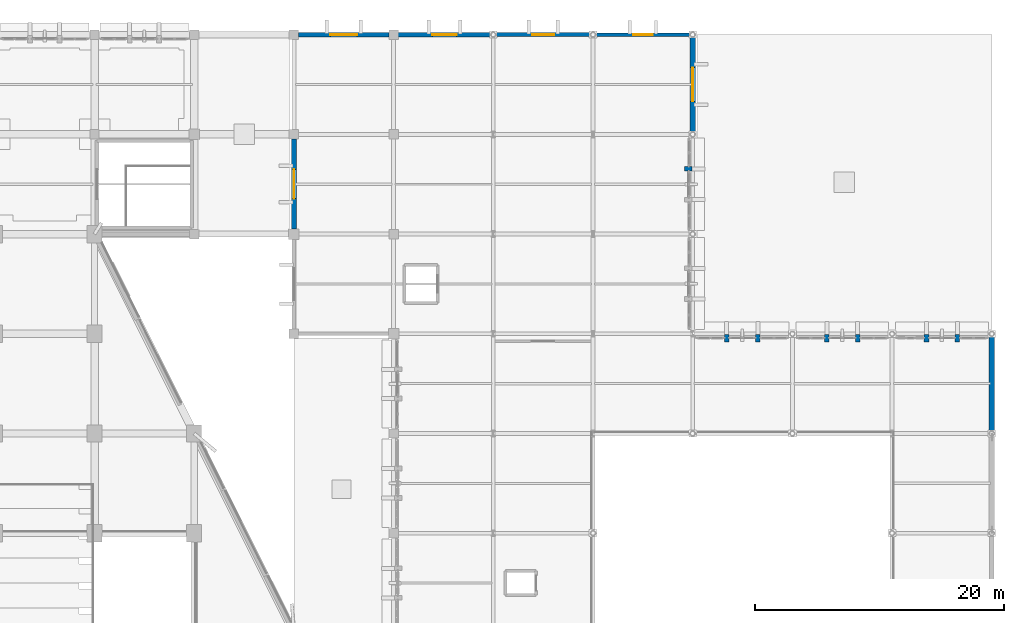
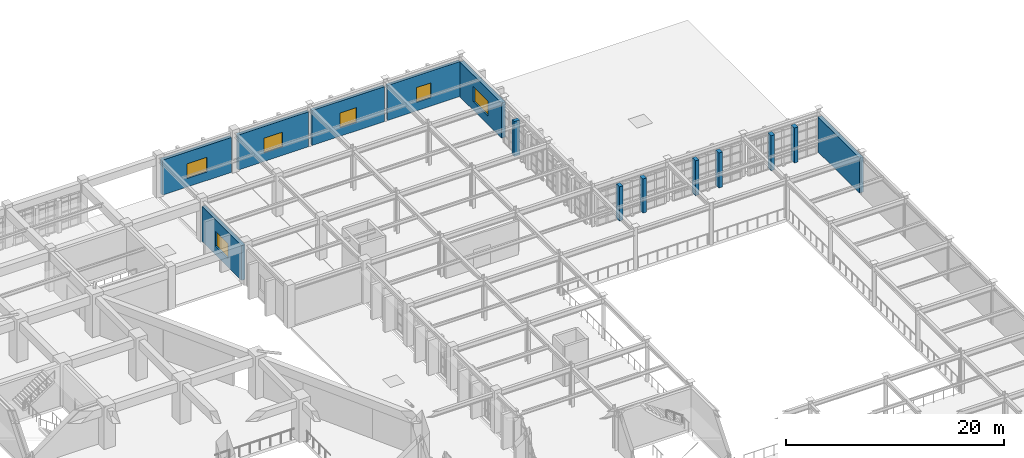
# One storey, part 140 of 155: 14 walls, 6 windows, 6 openings.
"""IFC4 building model written with IfcOpenShell, lengths in metres."""

import ifcopenshell
import ifcopenshell.guid

model = None  # the IFC model being written
_history = None  # IfcOwnerHistory: only IFC2X3 demands one
_inside = {}  # id of a spatial element -> (the spatial element, [elements in it])
_under = {}  # id of a project, library or spatial element -> (it, [spatial elements below it])
_declared = {}  # id of a project -> (the project, [libraries it declares])
_typed = {}  # id of a type object -> (the type object, [elements of that type])
_made_of = {}  # id of a material, layer set ... -> (it, [elements and type objects made of it])


def new_model(schema):
    """Start an empty IFC model of exactly this schema.

    Asked for "IFC4X3", IfcOpenShell would pick the latest addendum, in which some entities
    have other attributes; the version numbers below select the first issue.
    IFC2X3 requires an IfcOwnerHistory on every rooted entity: one is made here for all.
    """
    global model, _history
    if schema == "IFC4X3":
        model = ifcopenshell.file(schema_version=(4, 3, 0, 0))
    else:
        model = ifcopenshell.file(schema=schema)
    _inside.clear()
    _under.clear()
    _declared.clear()
    _typed.clear()
    _made_of.clear()
    _history = None
    if model.schema == "IFC2X3":
        org = make("IfcOrganization", Name="unknown")
        user = make(
            "IfcPersonAndOrganization",
            ThePerson=make("IfcPerson", FamilyName="unknown"),
            TheOrganization=org,
        )
        app = make(
            "IfcApplication",
            ApplicationDeveloper=org,
            Version="unknown",
            ApplicationFullName="unknown",
            ApplicationIdentifier="unknown",
        )
        _history = make(
            "IfcOwnerHistory",
            OwningUser=user,
            OwningApplication=app,
            ChangeAction="ADDED",
            CreationDate=0,
        )
    return model


def make(cls, **values):
    """One entity of the class cls with the attributes given. An attribute that is None is left unset."""
    return model.create_entity(
        cls, **{name: value for name, value in values.items() if value is not None}
    )


def rooted(cls, **values):
    """An entity with a GlobalId (a new one), such as an element, a storey or a relation."""
    return make(cls, GlobalId=ifcopenshell.guid.new(), OwnerHistory=_history, **values)


def si_unit(unit_type, name, prefix=None):
    """IfcSIUnit, for example si_unit("LENGTHUNIT", "METRE", prefix="MILLI")."""
    return make("IfcSIUnit", UnitType=unit_type, Prefix=prefix, Name=name)


def assignment(units):
    """IfcUnitAssignment: the units of a project."""
    return None if units is None else make("IfcUnitAssignment", Units=units)


def point(xyz):
    """IfcCartesianPoint."""
    return None if xyz is None else make("IfcCartesianPoint", Coordinates=xyz)


def direction(xyz):
    """IfcDirection."""
    return None if xyz is None else make("IfcDirection", DirectionRatios=xyz)


def frame(location, z_axis=None, x_axis=None):
    """IfcAxis2Placement3D, a coordinate frame: its origin and axes. An axis left out is left unset."""
    return make(
        "IfcAxis2Placement3D",
        Location=point(location),
        Axis=direction(z_axis),
        RefDirection=direction(x_axis),
    )


def frame_2d(location, x_axis=None):
    """IfcAxis2Placement2D, a coordinate frame in the plane: its origin and x axis."""
    return make(
        "IfcAxis2Placement2D", Location=point(location), RefDirection=direction(x_axis)
    )


def origin():
    """The frame at (0, 0, 0) with its axes left unset."""
    return frame((0.0, 0.0, 0.0))


def place(relative_to, where):
    """IfcLocalPlacement: puts the frame where relative to a parent placement (None: the world)."""
    return make(
        "IfcLocalPlacement", PlacementRelTo=relative_to, RelativePlacement=where
    )


def context(
    kind, dimensions, precision=None, world=None, true_north=None, identifier=None
):
    """IfcGeometricRepresentationContext, for example the 3D "Model" context."""
    return make(
        "IfcGeometricRepresentationContext",
        ContextIdentifier=identifier,
        ContextType=kind,
        CoordinateSpaceDimension=dimensions,
        Precision=precision,
        WorldCoordinateSystem=world,
        TrueNorth=true_north,
    )


def subcontext(parent, identifier, kind, view, scale=None):
    """IfcGeometricRepresentationSubContext, for example "Body" below "Model"."""
    return make(
        "IfcGeometricRepresentationSubContext",
        ContextIdentifier=identifier,
        ContextType=kind,
        ParentContext=parent,
        TargetScale=scale,
        TargetView=view,
    )


def project(units=None, contexts=None):
    """IfcProject with its units and contexts."""
    return rooted(
        "IfcProject",
        Name="project",
        RepresentationContexts=contexts,
        UnitsInContext=assignment(units),
    )


def spatial(cls, under=None, at=None, **own):
    """A site, building, storey or space (cls), placed at a placement, below another one or the project."""
    s = rooted(cls, ObjectPlacement=at, **own)
    if under is not None:
        _under.setdefault(under.id(), (under, []))[1].append(s)
    return s


def profile(cls, at=None, kind="AREA", **sizes):
    """A parametric profile (cls). Its sizes go by their IFC names, for example OverallWidth=200.0."""
    return make(cls, ProfileType=kind, Position=at, **sizes)


def rectangle(**sizes):
    """IfcRectangleProfileDef."""
    return profile("IfcRectangleProfileDef", **sizes)


def extrude(swept, where, along, depth):
    """IfcExtrudedAreaSolid: the profile swept, set in the frame where, extruded along a direction by depth."""
    return make(
        "IfcExtrudedAreaSolid",
        SweptArea=swept,
        Position=where,
        ExtrudedDirection=direction(along),
        Depth=depth,
    )


def shape(context_of_items, identifier, shape_type, items):
    """IfcShapeRepresentation: the items that make up one representation, for example the "Body"."""
    return make(
        "IfcShapeRepresentation",
        ContextOfItems=context_of_items,
        RepresentationIdentifier=identifier,
        RepresentationType=shape_type,
        Items=items,
    )


def material(Name=None, Category=None):
    """IfcMaterial."""
    return make("IfcMaterial", Name=Name, Category=Category)


def layer(
    of_material, thickness, ventilated=None, Name=None, Category=None, Priority=None
):
    """IfcMaterialLayer: one layer of a wall or slab, of a material (None: an air gap)."""
    return make(
        "IfcMaterialLayer",
        Material=of_material,
        LayerThickness=thickness,
        IsVentilated=ventilated,
        Name=Name,
        Category=Category,
        Priority=Priority,
    )


def layer_set(layers, Name=None):
    """IfcMaterialLayerSet."""
    return make("IfcMaterialLayerSet", MaterialLayers=layers, LayerSetName=Name)


def made_of(thing, what):
    """Note that an element or type object is made of a material, layer set ...; save() writes the relation."""
    if what is not None:
        _made_of.setdefault(what.id(), (what, []))[1].append(thing)
    return thing


def type_object(cls, material=None, **own):
    """A type object (cls), such as IfcWallType, which elements share."""
    return made_of(rooted(cls, **own), material)


def element(
    cls,
    number,
    at=None,
    inside=None,
    cuts=None,
    type_object=None,
    material=None,
    context=None,
    identifier="Body",
    shape_type=None,
    held_by="IfcProductDefinitionShape",
    body=None,
    shapes=None,
    **own,
):
    """One element of the class cls, such as IfcWall. Its Tag is "e" and its number.

    at: its placement. inside: the storey or other place that contains it. cuts: it is an
    opening in that element (IfcRelVoidsElement). A single representation is given by context,
    identifier, shape_type and body (its items); several are given by shapes. held_by: the class
    of the entity that holds the representations. save() writes the other relations.
    """
    e = rooted(cls, Tag="e%d" % number, ObjectPlacement=at, **own)
    if body is not None:
        shapes = [shape(context, identifier, shape_type, body)]
    if shapes is not None:
        e.Representation = make(held_by, Representations=shapes)
    if inside is not None:
        _inside.setdefault(inside.id(), (inside, []))[1].append(e)
    if cuts is not None:
        rooted(
            "IfcRelVoidsElement", RelatingBuildingElement=cuts, RelatedOpeningElement=e
        )
    if type_object is not None:
        _typed.setdefault(type_object.id(), (type_object, []))[1].append(e)
    return made_of(e, material)


def fill(opening, filler):
    """IfcRelFillsElement: the door or window that sits in an opening."""
    return rooted(
        "IfcRelFillsElement",
        RelatingOpeningElement=opening,
        RelatedBuildingElement=filler,
    )


def aggregate(whole, parts):
    """IfcRelAggregates: a whole, such as a stair, and the parts it consists of."""
    return rooted("IfcRelAggregates", RelatingObject=whole, RelatedObjects=parts)


def save(model, path):
    """Write the relations noted so far, then the file.

    IfcRelAggregates (storeys below a building ...), IfcRelContainedInSpatialStructure (elements
    in a storey), IfcRelDefinesByType, IfcRelAssociatesMaterial and IfcRelDeclares: one each for
    every whole, place, type object, material and project.
    """
    for whole, parts in _under.values():
        aggregate(whole, parts)
    for where, things in _inside.values():
        rooted(
            "IfcRelContainedInSpatialStructure",
            RelatedElements=things,
            RelatingStructure=where,
        )
    for kind, things in _typed.values():
        rooted("IfcRelDefinesByType", RelatedObjects=things, RelatingType=kind)
    for what, things in _made_of.values():
        rooted("IfcRelAssociatesMaterial", RelatedObjects=things, RelatingMaterial=what)
    for by, libraries in _declared.values():
        rooted("IfcRelDeclares", RelatingContext=by, RelatedDefinitions=libraries)
    model.write(path)


model = new_model("IFC4")

# Units and contexts
model_context = context("Model", 3, precision=1e-05, world=origin(), true_north=direction((0.0, 1.0)))
body_context = subcontext(model_context, "Body", "Model", "MODEL_VIEW")
ifc_project = project(units=[si_unit("LENGTHUNIT", "METRE"), si_unit("AREAUNIT", "SQUARE_METRE"), si_unit("VOLUMEUNIT", "CUBIC_METRE"), si_unit("PLANEANGLEUNIT", "RADIAN"), si_unit("MASSUNIT", "GRAM", prefix="KILO")], contexts=[model_context])

# Site, building, storey
site_placement = place(None, origin())
site = spatial("IfcSite", under=ifc_project, at=site_placement, CompositionType="ELEMENT")
building_placement = place(site_placement, origin())
building = spatial("IfcBuilding", under=site, at=building_placement, Name="Tazarka Park Arena", CompositionType="ELEMENT")
storey_placement = place(building_placement, frame((0.0, 0.0, 5.39990234375)))
storey = spatial("IfcBuildingStorey", under=building, at=storey_placement, Name="L01", CompositionType="ELEMENT", Elevation=5.39990234375)

# Wall, opening, window
ifc_material_1 = material(Name="Precast concrete C40/50", Category="concrete")
ifc_layer_1 = layer(ifc_material_1, 0.300048828125, Name="Precast concrete C40/50")
ifc_layer_set_1 = layer_set([ifc_layer_1], Name="Precast concrete C40/50")
wall_type_1 = type_object("IfcWallType", Name="WAL-EW-01", PredefinedType="SOLIDWALL", material=ifc_layer_set_1)
wall_1_placement = place(storey_placement, frame((152.18310546875, 128.0, 0.0), z_axis=(0.0, 0.0, 1.0), x_axis=(1.0, 0.0, 0.0)))
wall_1 = element("IfcWall", 1, at=wall_1_placement, inside=storey, type_object=wall_type_1, Name="EW-L01-0208", PredefinedType="SOLIDWALL", context=body_context, shape_type="SweptSolid", body=[
    extrude(rectangle(XDim=7.6337890625, YDim=0.300048828125, at=frame_2d((3.81689453125, 0.0))), origin(), (0.0, 0.0, 1.0), 3.91015625),
])
opening_1_placement = place(wall_1_placement, frame((3.041748046875, 0.0, 0.949951171875)))
opening_1 = element("IfcOpeningElement", 2, at=opening_1_placement, cuts=wall_1, Name="Opening WN-25", PredefinedType="OPENING", context=body_context, shape_type="SweptSolid", body=[
    extrude(rectangle(XDim=1.550048828125, YDim=1.64990234375, at=frame_2d((0.77490234375, 0.824951171875))), frame((0.0, 0.16015625, 0.0), z_axis=(0.0, -1.0, 0.0), x_axis=(1.0, 0.0, 0.0)), (0.0, 0.0, 1.0), 0.320068359375),
])
ifc_material_2 = material(Name="Thermally broken aluminium and solar-control low-e glazing", Category="aluminium")
window_type_1 = type_object("IfcWindowType", Name="WIN-WN-25", PartitioningType="DOUBLE_PANEL_VERTICAL", PredefinedType="WINDOW", material=ifc_material_2)
window_1_placement = place(opening_1_placement, origin())
window_1 = element("IfcWindow", 3, at=window_1_placement, inside=storey, type_object=window_type_1, Name="WIN-L01-0025", OverallHeight=1.64990234375, OverallWidth=1.550048828125, PartitioningType="SINGLE_PANEL", PredefinedType="WINDOW", context=body_context, shape_type="SweptSolid", body=[
    extrude(rectangle(XDim=1.550048828125, YDim=1.64990234375, at=frame_2d((0.77490234375, 0.824951171875))), frame((0.0, 0.030029296875, 0.0), z_axis=(0.0, -1.0, 0.0), x_axis=(1.0, 0.0, 0.0)), (0.0, 0.0, 1.0), 0.06005859375),
])
fill(opening_1, window_1)

ifc_material_3 = material(Name="Precast concrete C40/50", Category="concrete")
ifc_layer_2 = layer(ifc_material_3, 0.320068359375, Name="Precast concrete C40/50")
ifc_layer_set_2 = layer_set([ifc_layer_2], Name="Precast concrete C40/50")
wall_type_2 = type_object("IfcWallType", Name="WAL-EW-02", PredefinedType="SOLIDWALL", material=ifc_layer_set_2)
wall_2_placement = place(storey_placement, frame((144.18310546875, 128.0, 0.0), z_axis=(0.0, 0.0, 1.0), x_axis=(1.0, 0.0, 0.0)))
wall_2 = element("IfcWall", 4, at=wall_2_placement, inside=storey, type_object=wall_type_2, Name="EW-L01-0209", PredefinedType="SOLIDWALL", context=body_context, shape_type="SweptSolid", body=[
    extrude(rectangle(XDim=7.6337890625, YDim=0.320068359375, at=frame_2d((3.81689453125, 0.0))), origin(), (0.0, 0.0, 1.0), 3.91015625),
])
opening_2_placement = place(wall_2_placement, frame((2.94189453125, 0.0, 0.949951171875)))
opening_2 = element("IfcOpeningElement", 5, at=opening_2_placement, cuts=wall_2, Name="Opening WN-26", PredefinedType="OPENING", context=body_context, shape_type="SweptSolid", body=[
    extrude(rectangle(XDim=1.75, YDim=1.64990234375, at=frame_2d((0.875, 0.824951171875))), frame((0.0, 0.169921875, 0.0), z_axis=(0.0, -1.0, 0.0), x_axis=(1.0, 0.0, 0.0)), (0.0, 0.0, 1.0), 0.340087890625),
])
ifc_material_4 = material(Name="Thermally broken aluminium and solar-control low-e glazing", Category="aluminium")
window_type_2 = type_object("IfcWindowType", Name="WIN-WN-26", PartitioningType="DOUBLE_PANEL_VERTICAL", PredefinedType="WINDOW", material=ifc_material_4)
window_2_placement = place(opening_2_placement, origin())
window_2 = element("IfcWindow", 6, at=window_2_placement, inside=storey, type_object=window_type_2, Name="WIN-L01-0026", OverallHeight=1.64990234375, OverallWidth=1.75, PartitioningType="SINGLE_PANEL", PredefinedType="WINDOW", context=body_context, shape_type="SweptSolid", body=[
    extrude(rectangle(XDim=1.75, YDim=1.64990234375, at=frame_2d((0.875, 0.824951171875))), frame((0.0, 0.030029296875, 0.0), z_axis=(0.0, -1.0, 0.0), x_axis=(1.0, 0.0, 0.0)), (0.0, 0.0, 1.0), 0.06005859375),
])
fill(opening_2, window_2)

ifc_material_5 = material(Name="Concrete C40/50", Category="concrete")
ifc_layer_3 = layer(ifc_material_5, 0.340087890625, Name="Concrete C40/50")
ifc_layer_set_3 = layer_set([ifc_layer_3], Name="Concrete C40/50")
wall_type_3 = type_object("IfcWallType", Name="WAL-EW-03", PredefinedType="SOLIDWALL", material=ifc_layer_set_3)
wall_3_placement = place(storey_placement, frame((136.35498046875, 128.0, 0.0), z_axis=(0.0, 0.0, 1.0), x_axis=(1.0, 0.0, 0.0)))
wall_3 = element("IfcWall", 7, at=wall_3_placement, inside=storey, type_object=wall_type_3, Name="EW-L01-0210", PredefinedType="SOLIDWALL", context=body_context, shape_type="SweptSolid", body=[
    extrude(rectangle(XDim=7.4619140625, YDim=0.340087890625, at=frame_2d((3.73095703125, 0.0))), origin(), (0.0, 0.0, 1.0), 3.91015625),
])
opening_3_placement = place(wall_3_placement, frame((2.755859375, 0.0, 0.949951171875)))
opening_3 = element("IfcOpeningElement", 8, at=opening_3_placement, cuts=wall_3, Name="Opening WN-27", PredefinedType="OPENING", context=body_context, shape_type="SweptSolid", body=[
    extrude(rectangle(XDim=1.949951171875, YDim=1.64990234375, at=frame_2d((0.97509765625, 0.824951171875))), frame((0.0, 0.18017578125, 0.0), z_axis=(0.0, -1.0, 0.0), x_axis=(1.0, 0.0, 0.0)), (0.0, 0.0, 1.0), 0.360107421875),
])
ifc_material_6 = material(Name="Thermally broken aluminium and solar-control low-e glazing", Category="aluminium")
window_type_3 = type_object("IfcWindowType", Name="WIN-WN-27", PartitioningType="DOUBLE_PANEL_VERTICAL", PredefinedType="WINDOW", material=ifc_material_6)
window_3_placement = place(opening_3_placement, origin())
window_3 = element("IfcWindow", 9, at=window_3_placement, inside=storey, type_object=window_type_3, Name="WIN-L01-0027", OverallHeight=1.64990234375, OverallWidth=1.949951171875, PartitioningType="SINGLE_PANEL", PredefinedType="WINDOW", context=body_context, shape_type="SweptSolid", body=[
    extrude(rectangle(XDim=1.949951171875, YDim=1.64990234375, at=frame_2d((0.97509765625, 0.824951171875))), frame((0.0, 0.030029296875, 0.0), z_axis=(0.0, -1.0, 0.0), x_axis=(1.0, 0.0, 0.0)), (0.0, 0.0, 1.0), 0.06005859375),
])
fill(opening_3, window_3)

ifc_material_7 = material(Name="Concrete C40/50", Category="concrete")
ifc_layer_4 = layer(ifc_material_7, 0.360107421875, Name="Concrete C40/50")
ifc_layer_set_4 = layer_set([ifc_layer_4], Name="Concrete C40/50")
wall_type_4 = type_object("IfcWallType", Name="WAL-EW-04", PredefinedType="SOLIDWALL", material=ifc_layer_set_4)
wall_4_placement = place(storey_placement, frame((128.35498046875, 128.0, 0.0), z_axis=(0.0, 0.0, 1.0), x_axis=(1.0, 0.0, 0.0)))
wall_4 = element("IfcWall", 10, at=wall_4_placement, inside=storey, type_object=wall_type_4, Name="EW-L01-0211", PredefinedType="SOLIDWALL", context=body_context, shape_type="SweptSolid", body=[
    extrude(rectangle(XDim=7.2900390625, YDim=0.360107421875, at=frame_2d((3.64501953125, 0.0))), origin(), (0.0, 0.0, 1.0), 3.91015625),
])
opening_4_placement = place(wall_4_placement, frame((2.570068359375, 0.0, 0.949951171875)))
opening_4 = element("IfcOpeningElement", 11, at=opening_4_placement, cuts=wall_4, Name="Opening WN-28", PredefinedType="OPENING", context=body_context, shape_type="SweptSolid", body=[
    extrude(rectangle(XDim=2.14990234375, YDim=1.64990234375, at=frame_2d((1.074951171875, 0.824951171875))), frame((0.0, 0.18994140625, 0.0), z_axis=(0.0, -1.0, 0.0), x_axis=(1.0, 0.0, 0.0)), (0.0, 0.0, 1.0), 0.380126953125),
])
ifc_material_8 = material(Name="Thermally broken aluminium and solar-control low-e glazing", Category="aluminium")
window_type_4 = type_object("IfcWindowType", Name="WIN-WN-28", PartitioningType="DOUBLE_PANEL_VERTICAL", PredefinedType="WINDOW", material=ifc_material_8)
window_4_placement = place(opening_4_placement, origin())
window_4 = element("IfcWindow", 12, at=window_4_placement, inside=storey, type_object=window_type_4, Name="WIN-L01-0028", OverallHeight=1.64990234375, OverallWidth=2.14990234375, PartitioningType="SINGLE_PANEL", PredefinedType="WINDOW", context=body_context, shape_type="SweptSolid", body=[
    extrude(rectangle(XDim=2.14990234375, YDim=1.64990234375, at=frame_2d((1.074951171875, 0.824951171875))), frame((0.0, 0.030029296875, 0.0), z_axis=(0.0, -1.0, 0.0), x_axis=(1.0, 0.0, 0.0)), (0.0, 0.0, 1.0), 0.06005859375),
])
fill(opening_4, window_4)

# Walls
ifc_material_9 = material(Name="Concrete C50/60", Category="concrete")
ifc_layer_5 = layer(ifc_material_9, 0.3798828125, Name="Concrete C50/60")
ifc_layer_set_5 = layer_set([ifc_layer_5], Name="Concrete C50/60")
wall_type_5 = type_object("IfcWallType", Name="WAL-EW-05", PredefinedType="SOLIDWALL", material=ifc_layer_set_5)
for number, where, z_axis, x_axis, name in (
    (13, (178.760986328125, 103.330078125, 0.0), (0.0, 0.0, 1.0), (0.0, 1.0, 0.0), "BFP-L01-190-1"),
    (14, (181.239013671875, 103.330078125, 0.0), (0.0, 0.0, 1.0), (0.0, 1.0, 0.0), "BFP-L01-190-2"),
    (15, (170.760986328125, 103.330078125, 0.0), (0.0, 0.0, 1.0), (0.0, 1.0, 0.0), "BFP-L01-193-1"),
    (16, (173.239013671875, 103.330078125, 0.0), (0.0, 0.0, 1.0), (0.0, 1.0, 0.0), "BFP-L01-193-2"),
):
    element("IfcWall", number, at=place(storey_placement, frame(where, z_axis=z_axis, x_axis=x_axis)), inside=storey, type_object=wall_type_5, Name=name, PredefinedType="SOLIDWALL", context=body_context, shape_type="SweptSolid", body=[
        extrude(rectangle(XDim=0.599853515625, YDim=0.3798828125, at=frame_2d((0.2998046875, 0.0))), origin(), (0.0, 0.0, 1.0), 3.91015625),
    ])
for number, where, z_axis, x_axis, name in (
    (17, (162.7255859375, 103.330078125, 0.0), (0.0, 0.0, 1.0), (0.0, 1.0, 0.0), "BFP-L01-196-1"),
    (18, (165.22119140625, 103.330078125, 0.0), (0.0, 0.0, 1.0), (0.0, 1.0, 0.0), "BFP-L01-196-2"),
):
    element("IfcWall", number, at=place(storey_placement, frame(where, z_axis=z_axis, x_axis=x_axis)), inside=storey, type_object=wall_type_5, Name=name, PredefinedType="SOLIDWALL", context=body_context, shape_type="SweptSolid", body=[
        extrude(rectangle(XDim=0.599853515625, YDim=0.3798828125, at=frame_2d((0.2998046875, 0.0))), origin(), (0.0, 0.0, 1.0), 3.81005859375),
    ])
wall_5_placement = place(storey_placement, frame((159.330078125, 117.239013671875, 0.0), z_axis=(0.0, 0.0, 1.0), x_axis=(1.0, 0.0, 0.0)))
element("IfcWall", 19, at=wall_5_placement, inside=storey, type_object=wall_type_5, Name="BFP-L01-202-1", PredefinedType="SOLIDWALL", context=body_context, shape_type="SweptSolid", body=[
    extrude(rectangle(XDim=0.599853515625, YDim=0.3798828125, at=frame_2d((0.2998046875, 0.0))), origin(), (0.0, 0.0, 1.0), 3.91015625),
])

# Wall, opening, window
wall_6_placement = place(storey_placement, frame((128.0, 112.405029296875, 0.0), z_axis=(0.0, 0.0, 1.0), x_axis=(0.0, 1.0, 0.0)))
wall_6 = element("IfcWall", 20, at=wall_6_placement, inside=storey, type_object=wall_type_5, Name="EW-L01-0212", PredefinedType="SOLIDWALL", context=body_context, shape_type="SweptSolid", body=[
    extrude(rectangle(XDim=7.239990234375, YDim=0.3798828125, at=frame_2d((3.6201171875, 0.0))), origin(), (0.0, 0.0, 1.0), 3.900146484375),
])
opening_5_placement = place(wall_6_placement, frame((2.445068359375, 0.0, 0.949951171875)))
opening_5 = element("IfcOpeningElement", 21, at=opening_5_placement, cuts=wall_6, Name="Opening WN-29", PredefinedType="OPENING", context=body_context, shape_type="SweptSolid", body=[
    extrude(rectangle(XDim=2.35009765625, YDim=1.64990234375, at=frame_2d((1.175048828125, 0.824951171875))), frame((0.0, 0.199951171875, 0.0), z_axis=(0.0, -1.0, 0.0), x_axis=(1.0, 0.0, 0.0)), (0.0, 0.0, 1.0), 0.39990234375),
])
ifc_material_10 = material(Name="Thermally broken aluminium and solar-control low-e glazing", Category="aluminium")
window_type_5 = type_object("IfcWindowType", Name="WIN-WN-29", PartitioningType="DOUBLE_PANEL_VERTICAL", PredefinedType="WINDOW", material=ifc_material_10)
window_5_placement = place(opening_5_placement, origin())
window_5 = element("IfcWindow", 22, at=window_5_placement, inside=storey, type_object=window_type_5, Name="WIN-L01-0029", OverallHeight=1.64990234375, OverallWidth=2.35009765625, PartitioningType="SINGLE_PANEL", PredefinedType="WINDOW", context=body_context, shape_type="SweptSolid", body=[
    extrude(rectangle(XDim=2.35009765625, YDim=1.64990234375, at=frame_2d((1.175048828125, 0.824951171875))), frame((0.0, 0.030029296875, 0.0), z_axis=(0.0, -1.0, 0.0), x_axis=(1.0, 0.0, 0.0)), (0.0, 0.0, 1.0), 0.06005859375),
])
fill(opening_5, window_5)

# Wall
ifc_material_11 = material(Name="Concrete C50/60", Category="concrete")
ifc_layer_6 = layer(ifc_material_11, 0.419921875, Name="Concrete C50/60")
ifc_layer_set_6 = layer_set([ifc_layer_6], Name="Concrete C50/60")
wall_type_6 = type_object("IfcWallType", Name="WAL-EW-15", PredefinedType="SOLIDWALL", material=ifc_layer_set_6)
wall_7_placement = place(storey_placement, frame((184.0, 103.81689453125, 0.0), z_axis=(0.0, 0.0, 1.0), x_axis=(0.0, -1.0, 0.0)))
element("IfcWall", 23, at=wall_7_placement, inside=storey, type_object=wall_type_6, Name="EW-L01-0206", PredefinedType="SOLIDWALL", context=body_context, shape_type="SweptSolid", body=[
    extrude(rectangle(XDim=7.6337890625, YDim=0.419921875, at=frame_2d((3.81689453125, 0.0))), origin(), (0.0, 0.0, 1.0), 3.91015625),
])

# Wall, opening, window
ifc_material_12 = material(Name="Concrete C50/60", Category="concrete")
ifc_layer_7 = layer(ifc_material_12, 0.429931640625, Name="Concrete C50/60")
ifc_layer_set_7 = layer_set([ifc_layer_7], Name="Concrete C50/60")
wall_type_7 = type_object("IfcWallType", Name="WAL-EW-16", PredefinedType="SOLIDWALL", material=ifc_layer_set_7)
wall_8_placement = place(storey_placement, frame((160.0, 127.81689453125, 0.0), z_axis=(0.0, 0.0, 1.0), x_axis=(0.0, -1.0, 0.0)))
wall_8 = element("IfcWall", 24, at=wall_8_placement, inside=storey, type_object=wall_type_7, Name="EW-L01-0207", PredefinedType="SOLIDWALL", context=body_context, shape_type="SweptSolid", body=[
    extrude(rectangle(XDim=7.6337890625, YDim=0.429931640625, at=frame_2d((3.81689453125, 0.0))), origin(), (0.0, 0.0, 1.0), 3.91015625),
])
opening_6_placement = place(wall_8_placement, frame((2.466796875, 0.0, 0.949951171875)))
opening_6 = element("IfcOpeningElement", 25, at=opening_6_placement, cuts=wall_8, Name="Opening WN-24", PredefinedType="OPENING", context=body_context, shape_type="SweptSolid", body=[
    extrude(rectangle(XDim=2.699951171875, YDim=1.699951171875, at=frame_2d((1.35009765625, 0.85009765625))), frame((0.0, 0.22509765625, 0.0), z_axis=(0.0, -1.0, 0.0), x_axis=(1.0, 0.0, 0.0)), (0.0, 0.0, 1.0), 0.449951171875),
])
ifc_material_13 = material(Name="Thermally broken aluminium and solar-control low-e glazing", Category="aluminium")
window_type_6 = type_object("IfcWindowType", Name="WIN-WN-24", PartitioningType="DOUBLE_PANEL_VERTICAL", PredefinedType="WINDOW", material=ifc_material_13)
window_6_placement = place(opening_6_placement, origin())
window_6 = element("IfcWindow", 26, at=window_6_placement, inside=storey, type_object=window_type_6, Name="WIN-L01-0024", OverallHeight=1.699951171875, OverallWidth=2.699951171875, PartitioningType="SINGLE_PANEL", PredefinedType="WINDOW", context=body_context, shape_type="SweptSolid", body=[
    extrude(rectangle(XDim=2.699951171875, YDim=1.699951171875, at=frame_2d((1.35009765625, 0.85009765625))), frame((0.0, 0.030029296875, 0.0), z_axis=(0.0, -1.0, 0.0), x_axis=(1.0, 0.0, 0.0)), (0.0, 0.0, 1.0), 0.06005859375),
])
fill(opening_6, window_6)

save(model, "model.ifc")
